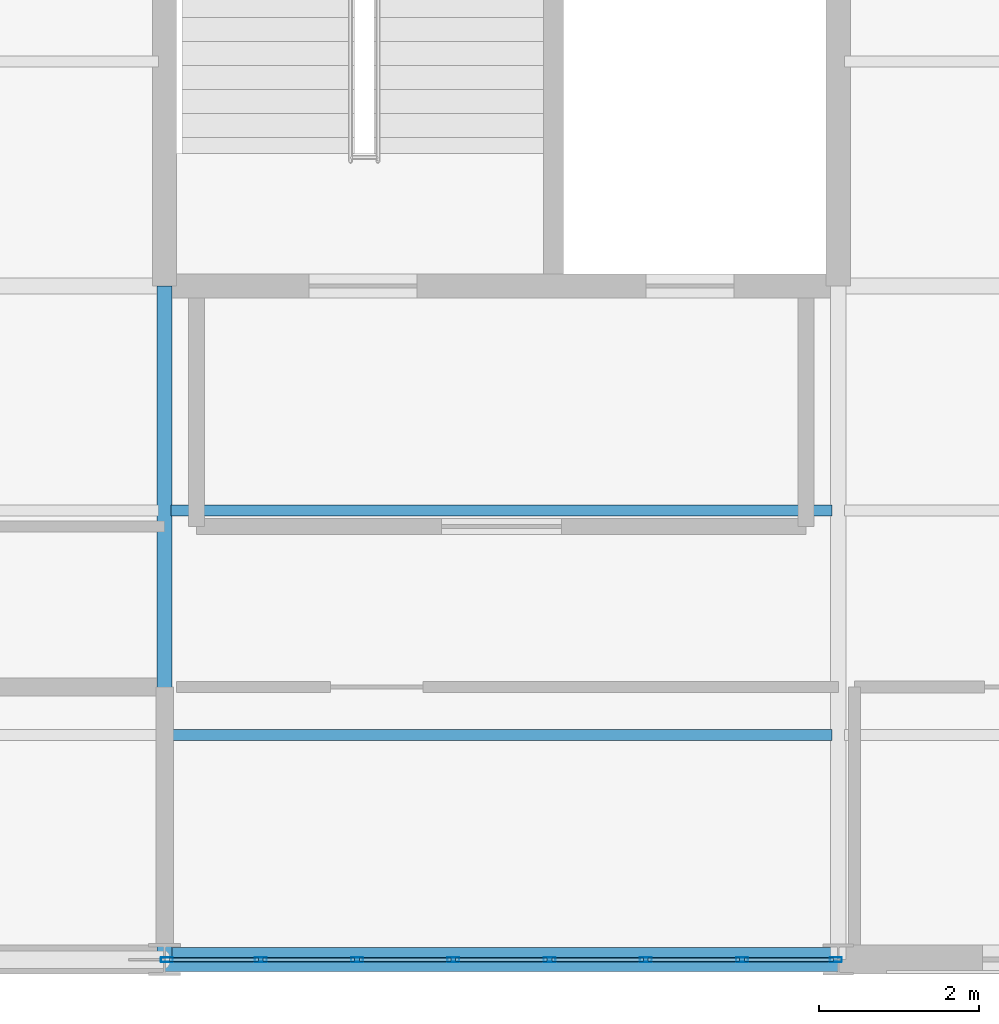
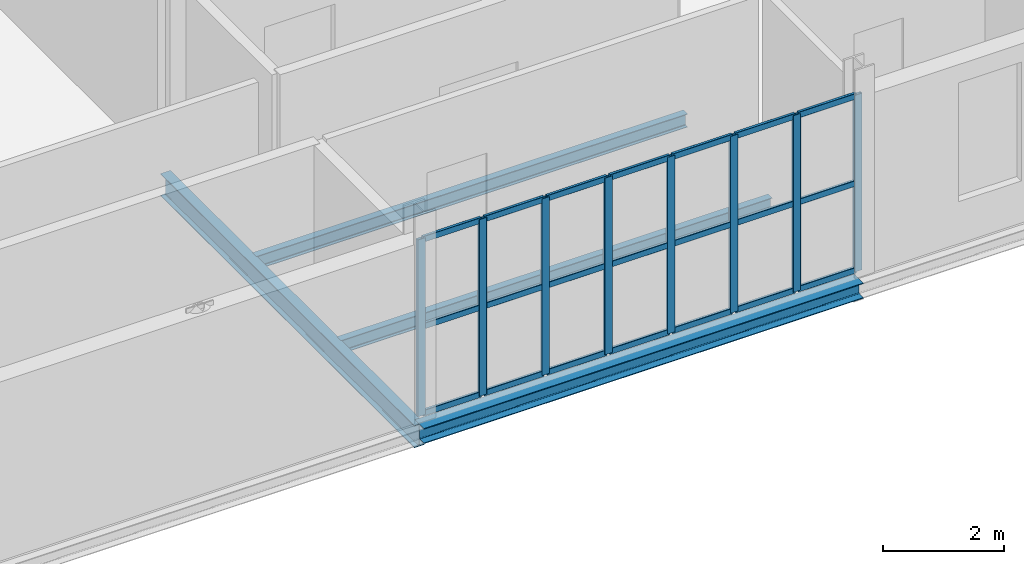
# One storey, part 31 of 184: 29 members, 4 beams, 1 element without a shape of its own.
"""IFC4 building model written with IfcOpenShell, lengths in metres."""

from ifc_helpers import new_model, si_unit, direction, frame, origin, origin_2d, place, context, subcontext, project, spatial, hollow_rectangle, i_section, extrude, material, layer, layer_set, material_profile, profile_set, type_object, element, aggregate, save


model = new_model("IFC4")

# Units and contexts
model_context = context("Model", 3, precision=1e-05, world=origin(), true_north=direction((0.0, 1.0)))
body_context = subcontext(model_context, "Body", "Model", "MODEL_VIEW")
ifc_project = project(units=[si_unit("LENGTHUNIT", "METRE"), si_unit("AREAUNIT", "SQUARE_METRE"), si_unit("VOLUMEUNIT", "CUBIC_METRE"), si_unit("PLANEANGLEUNIT", "RADIAN"), si_unit("MASSUNIT", "GRAM", prefix="KILO")], contexts=[model_context])

# Site, building, storey
site_placement = place(None, origin())
site = spatial("IfcSite", under=ifc_project, at=site_placement, CompositionType="ELEMENT")
building_placement = place(site_placement, origin())
building = spatial("IfcBuilding", under=site, at=building_placement, Name="Qalvenar Corner Mobility Hub", CompositionType="ELEMENT")
storey_placement = place(building_placement, frame((0.0, 0.0, 9.0)))
storey = spatial("IfcBuildingStorey", under=building, at=storey_placement, Name="L02", CompositionType="ELEMENT", Elevation=9.0)

# Beams
ifc_material_1 = material(Name="Steel S355", Category="steel")
ifc_material_profile_1 = material_profile(ifc_material_1, i_section(OverallWidth=0.18994140625, OverallDepth=0.449951171875, WebThickness=0.009521484375, FlangeThickness=0.0146484375, FilletRadius=0.02099609375, at=origin_2d()), Name="IPE450")
ifc_profile_set_1 = profile_set([ifc_material_profile_1], Name="Steel S355")
beam_type_1 = type_object("IfcBeamType", Name="BM-IPE450", PredefinedType="BEAM", material=ifc_profile_set_1)
beam_1_placement = place(storey_placement, frame((33.60009765625, 0.0, -0.405029296875), z_axis=(0.0, 1.0, 0.0), x_axis=(-1.0, 0.0, 0.0)))
element("IfcBeam", 1, at=beam_1_placement, inside=storey, type_object=beam_type_1, Name="Primary Steel Girder GY-1597", PredefinedType="BEAM", context=body_context, shape_type="SweptSolid", body=[
    extrude(i_section(OverallWidth=0.18994140625, OverallDepth=0.449951171875, WebThickness=0.009521484375, FlangeThickness=0.0146484375, FilletRadius=0.02099609375, at=origin_2d()), origin(), (0.0, 0.0, 1.0), 8.39990234375),
])
ifc_material_profile_2 = material_profile(ifc_material_1, i_section(OverallWidth=0.135009765625, OverallDepth=0.27001953125, WebThickness=0.006591796875, FlangeThickness=0.01025390625, FilletRadius=0.014892578125, at=origin_2d()), Name="IPE270")
ifc_profile_set_2 = profile_set([ifc_material_profile_2], Name="Steel S355")
beam_type_2 = type_object("IfcBeamType", Name="BM-JST270", PredefinedType="JOIST", material=ifc_profile_set_2)
for number, where, z_axis, x_axis, name in (
    (2, (33.677978515625, 2.800048828125, -0.31494140625), (1.0, 0.0, 0.0), (0.0, 1.0, 0.0), "Composite Floor Joist J-1651"),
    (3, (33.677978515625, 5.60009765625, -0.31494140625), (1.0, 0.0, 0.0), (0.0, 1.0, 0.0), "Composite Floor Joist J-1652"),
):
    element("IfcBeam", number, at=place(storey_placement, frame(where, z_axis=z_axis, x_axis=x_axis)), inside=storey, type_object=beam_type_2, Name=name, PredefinedType="JOIST", context=body_context, shape_type="SweptSolid", body=[
        extrude(i_section(OverallWidth=0.135009765625, OverallDepth=0.27001953125, WebThickness=0.006591796875, FlangeThickness=0.01025390625, FilletRadius=0.014892578125, at=origin_2d()), origin(), (0.0, 0.0, 1.0), 8.244140625),
    ])
ifc_material_profile_3 = material_profile(ifc_material_1, i_section(OverallWidth=0.300048828125, OverallDepth=0.31005859375, WebThickness=0.009033203125, FlangeThickness=0.015380859375, FilletRadius=0.027099609375, at=origin_2d()), Name="HEA320")
ifc_profile_set_3 = profile_set([ifc_material_profile_3], Name="Steel S355")
beam_type_3 = type_object("IfcBeamType", Name="BM-SPN320", PredefinedType="SPANDREL", material=ifc_profile_set_3)
beam_2_placement = place(storey_placement, frame((33.60009765625, 0.0, -0.3349609375), z_axis=(1.0, 0.0, 0.0), x_axis=(0.0, 1.0, 0.0)))
element("IfcBeam", 4, at=beam_2_placement, inside=storey, type_object=beam_type_3, Name="Primary Steel Girder GX-1545", PredefinedType="SPANDREL", context=body_context, shape_type="SweptSolid", body=[
    extrude(i_section(OverallWidth=0.300048828125, OverallDepth=0.31005859375, WebThickness=0.009033203125, FlangeThickness=0.015380859375, FilletRadius=0.027099609375, at=origin_2d()), origin(), (0.0, 0.0, 1.0), 8.39990234375),
])

# Curtain wall, members
ifc_material_2 = material(Name="Anodised Aluminium and Low-E Glazing", Category="aluminium")
ifc_layer = layer(ifc_material_2, 0.14990234375)
ifc_layer_set = layer_set([ifc_layer], Name="Anodised Aluminium and Low-E Glazing")
curtain_wall_type = type_object("IfcCurtainWallType", Name="CW-CIV-84X40", PredefinedType="NOTDEFINED", material=ifc_layer_set)
curtain_wall_placement = place(storey_placement, origin())
curtain_wall = element("IfcCurtainWall", 5, at=curtain_wall_placement, inside=storey, type_object=curtain_wall_type, Name="Glazed Curtain Wall CW-V3-L02-S4", PredefinedType="NOTDEFINED")
ifc_material_3 = material(Name="Anodised Aluminium 6063-T6", Category="aluminium")
ifc_material_profile_4 = material_profile(ifc_material_3, hollow_rectangle(XDim=0.06005859375, YDim=0.14990234375, WallThickness=0.00390625, InnerFilletRadius=0.00390625, OuterFilletRadius=0.008056640625, at=origin_2d()), Name="RHS150x60x4")
ifc_profile_set_4 = profile_set([ifc_material_profile_4], Name="Anodised Aluminium 6063-T6")
member_type_1 = type_object("IfcMemberType", Name="CW-MUL150", PredefinedType="MULLION", material=ifc_profile_set_4)
member_1_placement = place(storey_placement, frame((33.6298828125, 0.0, 0.0), z_axis=(0.0, 0.0, 1.0), x_axis=(0.0, 1.0, 0.0)))
member_1 = element("IfcMember", 6, at=member_1_placement, type_object=member_type_1, Name="CW-05 mullion 1", PredefinedType="MULLION", context=body_context, shape_type="SweptSolid", body=[
    extrude(hollow_rectangle(XDim=0.06005859375, YDim=0.14990234375, WallThickness=0.00390625, InnerFilletRadius=0.00390625, OuterFilletRadius=0.008056640625, at=origin_2d()), origin(), (0.0, 0.0, 1.0), 3.570068359375),
])
member_2_placement = place(storey_placement, frame((34.800048828125, 0.0, 0.0), z_axis=(0.0, 0.0, 1.0), x_axis=(0.0, 1.0, 0.0)))
member_2 = element("IfcMember", 7, at=member_2_placement, type_object=member_type_1, Name="CW-05 mullion 2", PredefinedType="MULLION", context=body_context, shape_type="SweptSolid", body=[
    extrude(hollow_rectangle(XDim=0.06005859375, YDim=0.14990234375, WallThickness=0.00390625, InnerFilletRadius=0.00390625, OuterFilletRadius=0.008056640625, at=origin_2d()), origin(), (0.0, 0.0, 1.0), 3.570068359375),
])
member_3_placement = place(storey_placement, frame((36.0, 0.0, 0.0), z_axis=(0.0, 0.0, 1.0), x_axis=(0.0, 1.0, 0.0)))
member_3 = element("IfcMember", 8, at=member_3_placement, type_object=member_type_1, Name="CW-05 mullion 3", PredefinedType="MULLION", context=body_context, shape_type="SweptSolid", body=[
    extrude(hollow_rectangle(XDim=0.06005859375, YDim=0.14990234375, WallThickness=0.00390625, InnerFilletRadius=0.00390625, OuterFilletRadius=0.008056640625, at=origin_2d()), origin(), (0.0, 0.0, 1.0), 3.570068359375),
])
member_4_placement = place(storey_placement, frame((37.199951171875, 0.0, 0.0), z_axis=(0.0, 0.0, 1.0), x_axis=(0.0, 1.0, 0.0)))
member_4 = element("IfcMember", 9, at=member_4_placement, type_object=member_type_1, Name="CW-05 mullion 4", PredefinedType="MULLION", context=body_context, shape_type="SweptSolid", body=[
    extrude(hollow_rectangle(XDim=0.06005859375, YDim=0.14990234375, WallThickness=0.00390625, InnerFilletRadius=0.00390625, OuterFilletRadius=0.008056640625, at=origin_2d()), origin(), (0.0, 0.0, 1.0), 3.570068359375),
])
member_5_placement = place(storey_placement, frame((38.39990234375, 0.0, 0.0), z_axis=(0.0, 0.0, 1.0), x_axis=(0.0, 1.0, 0.0)))
member_5 = element("IfcMember", 10, at=member_5_placement, type_object=member_type_1, Name="CW-05 mullion 5", PredefinedType="MULLION", context=body_context, shape_type="SweptSolid", body=[
    extrude(hollow_rectangle(XDim=0.06005859375, YDim=0.14990234375, WallThickness=0.00390625, InnerFilletRadius=0.00390625, OuterFilletRadius=0.008056640625, at=origin_2d()), origin(), (0.0, 0.0, 1.0), 3.570068359375),
])
member_6_placement = place(storey_placement, frame((39.60009765625, 0.0, 0.0), z_axis=(0.0, 0.0, 1.0), x_axis=(0.0, 1.0, 0.0)))
member_6 = element("IfcMember", 11, at=member_6_placement, type_object=member_type_1, Name="CW-05 mullion 6", PredefinedType="MULLION", context=body_context, shape_type="SweptSolid", body=[
    extrude(hollow_rectangle(XDim=0.06005859375, YDim=0.14990234375, WallThickness=0.00390625, InnerFilletRadius=0.00390625, OuterFilletRadius=0.008056640625, at=origin_2d()), origin(), (0.0, 0.0, 1.0), 3.570068359375),
])
member_7_placement = place(storey_placement, frame((40.800048828125, 0.0, 0.0), z_axis=(0.0, 0.0, 1.0), x_axis=(0.0, 1.0, 0.0)))
member_7 = element("IfcMember", 12, at=member_7_placement, type_object=member_type_1, Name="CW-05 mullion 7", PredefinedType="MULLION", context=body_context, shape_type="SweptSolid", body=[
    extrude(hollow_rectangle(XDim=0.06005859375, YDim=0.14990234375, WallThickness=0.00390625, InnerFilletRadius=0.00390625, OuterFilletRadius=0.008056640625, at=origin_2d()), origin(), (0.0, 0.0, 1.0), 3.570068359375),
])
member_8_placement = place(storey_placement, frame((41.969970703125, 0.0, 0.0), z_axis=(0.0, 0.0, 1.0), x_axis=(0.0, 1.0, 0.0)))
member_8 = element("IfcMember", 13, at=member_8_placement, type_object=member_type_1, Name="CW-05 mullion 8", PredefinedType="MULLION", context=body_context, shape_type="SweptSolid", body=[
    extrude(hollow_rectangle(XDim=0.06005859375, YDim=0.14990234375, WallThickness=0.00390625, InnerFilletRadius=0.00390625, OuterFilletRadius=0.008056640625, at=origin_2d()), origin(), (0.0, 0.0, 1.0), 3.570068359375),
])
ifc_material_profile_5 = material_profile(ifc_material_3, hollow_rectangle(XDim=0.054931640625, YDim=0.1201171875, WallThickness=0.00341796875, InnerFilletRadius=0.00341796875, OuterFilletRadius=0.007080078125, at=origin_2d()), Name="RHS120x55x3.5")
ifc_profile_set_5 = profile_set([ifc_material_profile_5], Name="Anodised Aluminium 6063-T6")
member_type_2 = type_object("IfcMemberType", Name="CW-TRN120", PredefinedType="USERDEFINED", material=ifc_profile_set_5)
member_9_placement = place(storey_placement, frame((33.659912109375, 0.0, 0.027587890625), z_axis=(1.0, 0.0, 0.0), x_axis=(0.0, 1.0, 0.0)))
member_9 = element("IfcMember", 14, at=member_9_placement, type_object=member_type_2, Name="CW-05 transom 1.1", ObjectType="TRANSOM", PredefinedType="USERDEFINED", context=body_context, shape_type="SweptSolid", body=[
    extrude(hollow_rectangle(XDim=0.054931640625, YDim=0.1201171875, WallThickness=0.00341796875, InnerFilletRadius=0.00341796875, OuterFilletRadius=0.007080078125, at=origin_2d()), origin(), (0.0, 0.0, 1.0), 1.110107421875),
])
member_10_placement = place(storey_placement, frame((33.659912109375, 0.0, 1.784912109375), z_axis=(1.0, 0.0, 0.0), x_axis=(0.0, 1.0, 0.0)))
member_10 = element("IfcMember", 15, at=member_10_placement, type_object=member_type_2, Name="CW-05 transom 1.2", ObjectType="TRANSOM", PredefinedType="USERDEFINED", context=body_context, shape_type="SweptSolid", body=[
    extrude(hollow_rectangle(XDim=0.054931640625, YDim=0.1201171875, WallThickness=0.00341796875, InnerFilletRadius=0.00341796875, OuterFilletRadius=0.007080078125, at=origin_2d()), origin(), (0.0, 0.0, 1.0), 1.110107421875),
])
member_11_placement = place(storey_placement, frame((33.659912109375, 0.0, 3.54248046875), z_axis=(1.0, 0.0, 0.0), x_axis=(0.0, 1.0, 0.0)))
member_11 = element("IfcMember", 16, at=member_11_placement, type_object=member_type_2, Name="CW-05 transom 1.3", ObjectType="TRANSOM", PredefinedType="USERDEFINED", context=body_context, shape_type="SweptSolid", body=[
    extrude(hollow_rectangle(XDim=0.054931640625, YDim=0.1201171875, WallThickness=0.00341796875, InnerFilletRadius=0.00341796875, OuterFilletRadius=0.007080078125, at=origin_2d()), origin(), (0.0, 0.0, 1.0), 1.110107421875),
])
member_12_placement = place(storey_placement, frame((34.830078125, 0.0, 0.027587890625), z_axis=(1.0, 0.0, 0.0), x_axis=(0.0, 1.0, 0.0)))
member_12 = element("IfcMember", 17, at=member_12_placement, type_object=member_type_2, Name="CW-05 transom 2.1", ObjectType="TRANSOM", PredefinedType="USERDEFINED", context=body_context, shape_type="SweptSolid", body=[
    extrude(hollow_rectangle(XDim=0.054931640625, YDim=0.1201171875, WallThickness=0.00341796875, InnerFilletRadius=0.00341796875, OuterFilletRadius=0.007080078125, at=origin_2d()), origin(), (0.0, 0.0, 1.0), 1.139892578125),
])
member_13_placement = place(storey_placement, frame((34.830078125, 0.0, 1.784912109375), z_axis=(1.0, 0.0, 0.0), x_axis=(0.0, 1.0, 0.0)))
member_13 = element("IfcMember", 18, at=member_13_placement, type_object=member_type_2, Name="CW-05 transom 2.2", ObjectType="TRANSOM", PredefinedType="USERDEFINED", context=body_context, shape_type="SweptSolid", body=[
    extrude(hollow_rectangle(XDim=0.054931640625, YDim=0.1201171875, WallThickness=0.00341796875, InnerFilletRadius=0.00341796875, OuterFilletRadius=0.007080078125, at=origin_2d()), origin(), (0.0, 0.0, 1.0), 1.139892578125),
])
member_14_placement = place(storey_placement, frame((34.830078125, 0.0, 3.54248046875), z_axis=(1.0, 0.0, 0.0), x_axis=(0.0, 1.0, 0.0)))
member_14 = element("IfcMember", 19, at=member_14_placement, type_object=member_type_2, Name="CW-05 transom 2.3", ObjectType="TRANSOM", PredefinedType="USERDEFINED", context=body_context, shape_type="SweptSolid", body=[
    extrude(hollow_rectangle(XDim=0.054931640625, YDim=0.1201171875, WallThickness=0.00341796875, InnerFilletRadius=0.00341796875, OuterFilletRadius=0.007080078125, at=origin_2d()), origin(), (0.0, 0.0, 1.0), 1.139892578125),
])
member_15_placement = place(storey_placement, frame((36.030029296875, 0.0, 0.027587890625), z_axis=(1.0, 0.0, 0.0), x_axis=(0.0, 1.0, 0.0)))
member_15 = element("IfcMember", 20, at=member_15_placement, type_object=member_type_2, Name="CW-05 transom 3.1", ObjectType="TRANSOM", PredefinedType="USERDEFINED", context=body_context, shape_type="SweptSolid", body=[
    extrude(hollow_rectangle(XDim=0.054931640625, YDim=0.1201171875, WallThickness=0.00341796875, InnerFilletRadius=0.00341796875, OuterFilletRadius=0.007080078125, at=origin_2d()), origin(), (0.0, 0.0, 1.0), 1.139892578125),
])
member_16_placement = place(storey_placement, frame((36.030029296875, 0.0, 1.784912109375), z_axis=(1.0, 0.0, 0.0), x_axis=(0.0, 1.0, 0.0)))
member_16 = element("IfcMember", 21, at=member_16_placement, type_object=member_type_2, Name="CW-05 transom 3.2", ObjectType="TRANSOM", PredefinedType="USERDEFINED", context=body_context, shape_type="SweptSolid", body=[
    extrude(hollow_rectangle(XDim=0.054931640625, YDim=0.1201171875, WallThickness=0.00341796875, InnerFilletRadius=0.00341796875, OuterFilletRadius=0.007080078125, at=origin_2d()), origin(), (0.0, 0.0, 1.0), 1.139892578125),
])
member_17_placement = place(storey_placement, frame((36.030029296875, 0.0, 3.54248046875), z_axis=(1.0, 0.0, 0.0), x_axis=(0.0, 1.0, 0.0)))
member_17 = element("IfcMember", 22, at=member_17_placement, type_object=member_type_2, Name="CW-05 transom 3.3", ObjectType="TRANSOM", PredefinedType="USERDEFINED", context=body_context, shape_type="SweptSolid", body=[
    extrude(hollow_rectangle(XDim=0.054931640625, YDim=0.1201171875, WallThickness=0.00341796875, InnerFilletRadius=0.00341796875, OuterFilletRadius=0.007080078125, at=origin_2d()), origin(), (0.0, 0.0, 1.0), 1.139892578125),
])
member_18_placement = place(storey_placement, frame((37.22998046875, 0.0, 0.027587890625), z_axis=(1.0, 0.0, 0.0), x_axis=(0.0, 1.0, 0.0)))
member_18 = element("IfcMember", 23, at=member_18_placement, type_object=member_type_2, Name="CW-05 transom 4.1", ObjectType="TRANSOM", PredefinedType="USERDEFINED", context=body_context, shape_type="SweptSolid", body=[
    extrude(hollow_rectangle(XDim=0.054931640625, YDim=0.1201171875, WallThickness=0.00341796875, InnerFilletRadius=0.00341796875, OuterFilletRadius=0.007080078125, at=origin_2d()), origin(), (0.0, 0.0, 1.0), 1.14013671875),
])
member_19_placement = place(storey_placement, frame((37.22998046875, 0.0, 1.784912109375), z_axis=(1.0, 0.0, 0.0), x_axis=(0.0, 1.0, 0.0)))
member_19 = element("IfcMember", 24, at=member_19_placement, type_object=member_type_2, Name="CW-05 transom 4.2", ObjectType="TRANSOM", PredefinedType="USERDEFINED", context=body_context, shape_type="SweptSolid", body=[
    extrude(hollow_rectangle(XDim=0.054931640625, YDim=0.1201171875, WallThickness=0.00341796875, InnerFilletRadius=0.00341796875, OuterFilletRadius=0.007080078125, at=origin_2d()), origin(), (0.0, 0.0, 1.0), 1.14013671875),
])
member_20_placement = place(storey_placement, frame((37.22998046875, 0.0, 3.54248046875), z_axis=(1.0, 0.0, 0.0), x_axis=(0.0, 1.0, 0.0)))
member_20 = element("IfcMember", 25, at=member_20_placement, type_object=member_type_2, Name="CW-05 transom 4.3", ObjectType="TRANSOM", PredefinedType="USERDEFINED", context=body_context, shape_type="SweptSolid", body=[
    extrude(hollow_rectangle(XDim=0.054931640625, YDim=0.1201171875, WallThickness=0.00341796875, InnerFilletRadius=0.00341796875, OuterFilletRadius=0.007080078125, at=origin_2d()), origin(), (0.0, 0.0, 1.0), 1.14013671875),
])
member_21_placement = place(storey_placement, frame((38.429931640625, 0.0, 0.027587890625), z_axis=(1.0, 0.0, 0.0), x_axis=(0.0, 1.0, 0.0)))
member_21 = element("IfcMember", 26, at=member_21_placement, type_object=member_type_2, Name="CW-05 transom 5.1", ObjectType="TRANSOM", PredefinedType="USERDEFINED", context=body_context, shape_type="SweptSolid", body=[
    extrude(hollow_rectangle(XDim=0.054931640625, YDim=0.1201171875, WallThickness=0.00341796875, InnerFilletRadius=0.00341796875, OuterFilletRadius=0.007080078125, at=origin_2d()), origin(), (0.0, 0.0, 1.0), 1.14013671875),
])
member_22_placement = place(storey_placement, frame((38.429931640625, 0.0, 1.784912109375), z_axis=(1.0, 0.0, 0.0), x_axis=(0.0, 1.0, 0.0)))
member_22 = element("IfcMember", 27, at=member_22_placement, type_object=member_type_2, Name="CW-05 transom 5.2", ObjectType="TRANSOM", PredefinedType="USERDEFINED", context=body_context, shape_type="SweptSolid", body=[
    extrude(hollow_rectangle(XDim=0.054931640625, YDim=0.1201171875, WallThickness=0.00341796875, InnerFilletRadius=0.00341796875, OuterFilletRadius=0.007080078125, at=origin_2d()), origin(), (0.0, 0.0, 1.0), 1.14013671875),
])
member_23_placement = place(storey_placement, frame((38.429931640625, 0.0, 3.54248046875), z_axis=(1.0, 0.0, 0.0), x_axis=(0.0, 1.0, 0.0)))
member_23 = element("IfcMember", 28, at=member_23_placement, type_object=member_type_2, Name="CW-05 transom 5.3", ObjectType="TRANSOM", PredefinedType="USERDEFINED", context=body_context, shape_type="SweptSolid", body=[
    extrude(hollow_rectangle(XDim=0.054931640625, YDim=0.1201171875, WallThickness=0.00341796875, InnerFilletRadius=0.00341796875, OuterFilletRadius=0.007080078125, at=origin_2d()), origin(), (0.0, 0.0, 1.0), 1.14013671875),
])
member_24_placement = place(storey_placement, frame((39.6298828125, 0.0, 0.027587890625), z_axis=(1.0, 0.0, 0.0), x_axis=(0.0, 1.0, 0.0)))
member_24 = element("IfcMember", 29, at=member_24_placement, type_object=member_type_2, Name="CW-05 transom 6.1", ObjectType="TRANSOM", PredefinedType="USERDEFINED", context=body_context, shape_type="SweptSolid", body=[
    extrude(hollow_rectangle(XDim=0.054931640625, YDim=0.1201171875, WallThickness=0.00341796875, InnerFilletRadius=0.00341796875, OuterFilletRadius=0.007080078125, at=origin_2d()), origin(), (0.0, 0.0, 1.0), 1.14013671875),
])
member_25_placement = place(storey_placement, frame((39.6298828125, 0.0, 1.784912109375), z_axis=(1.0, 0.0, 0.0), x_axis=(0.0, 1.0, 0.0)))
member_25 = element("IfcMember", 30, at=member_25_placement, type_object=member_type_2, Name="CW-05 transom 6.2", ObjectType="TRANSOM", PredefinedType="USERDEFINED", context=body_context, shape_type="SweptSolid", body=[
    extrude(hollow_rectangle(XDim=0.054931640625, YDim=0.1201171875, WallThickness=0.00341796875, InnerFilletRadius=0.00341796875, OuterFilletRadius=0.007080078125, at=origin_2d()), origin(), (0.0, 0.0, 1.0), 1.14013671875),
])
member_26_placement = place(storey_placement, frame((39.6298828125, 0.0, 3.54248046875), z_axis=(1.0, 0.0, 0.0), x_axis=(0.0, 1.0, 0.0)))
member_26 = element("IfcMember", 31, at=member_26_placement, type_object=member_type_2, Name="CW-05 transom 6.3", ObjectType="TRANSOM", PredefinedType="USERDEFINED", context=body_context, shape_type="SweptSolid", body=[
    extrude(hollow_rectangle(XDim=0.054931640625, YDim=0.1201171875, WallThickness=0.00341796875, InnerFilletRadius=0.00341796875, OuterFilletRadius=0.007080078125, at=origin_2d()), origin(), (0.0, 0.0, 1.0), 1.14013671875),
])
member_27_placement = place(storey_placement, frame((40.830078125, 0.0, 0.027587890625), z_axis=(1.0, 0.0, 0.0), x_axis=(0.0, 1.0, 0.0)))
member_27 = element("IfcMember", 32, at=member_27_placement, type_object=member_type_2, Name="CW-05 transom 7.1", ObjectType="TRANSOM", PredefinedType="USERDEFINED", context=body_context, shape_type="SweptSolid", body=[
    extrude(hollow_rectangle(XDim=0.054931640625, YDim=0.1201171875, WallThickness=0.00341796875, InnerFilletRadius=0.00341796875, OuterFilletRadius=0.007080078125, at=origin_2d()), origin(), (0.0, 0.0, 1.0), 1.10986328125),
])
member_28_placement = place(storey_placement, frame((40.830078125, 0.0, 1.784912109375), z_axis=(1.0, 0.0, 0.0), x_axis=(0.0, 1.0, 0.0)))
member_28 = element("IfcMember", 33, at=member_28_placement, type_object=member_type_2, Name="CW-05 transom 7.2", ObjectType="TRANSOM", PredefinedType="USERDEFINED", context=body_context, shape_type="SweptSolid", body=[
    extrude(hollow_rectangle(XDim=0.054931640625, YDim=0.1201171875, WallThickness=0.00341796875, InnerFilletRadius=0.00341796875, OuterFilletRadius=0.007080078125, at=origin_2d()), origin(), (0.0, 0.0, 1.0), 1.10986328125),
])
member_29_placement = place(storey_placement, frame((40.830078125, 0.0, 3.54248046875), z_axis=(1.0, 0.0, 0.0), x_axis=(0.0, 1.0, 0.0)))
member_29 = element("IfcMember", 34, at=member_29_placement, type_object=member_type_2, Name="CW-05 transom 7.3", ObjectType="TRANSOM", PredefinedType="USERDEFINED", context=body_context, shape_type="SweptSolid", body=[
    extrude(hollow_rectangle(XDim=0.054931640625, YDim=0.1201171875, WallThickness=0.00341796875, InnerFilletRadius=0.00341796875, OuterFilletRadius=0.007080078125, at=origin_2d()), origin(), (0.0, 0.0, 1.0), 1.10986328125),
])
aggregate(curtain_wall, [member_1, member_2, member_3, member_4, member_5, member_6, member_7, member_8, member_9, member_10, member_11, member_12, member_13, member_14, member_15, member_16, member_17, member_18, member_19, member_20, member_21, member_22, member_23, member_24, member_25, member_26, member_27, member_28, member_29])

save(model, "model.ifc")
